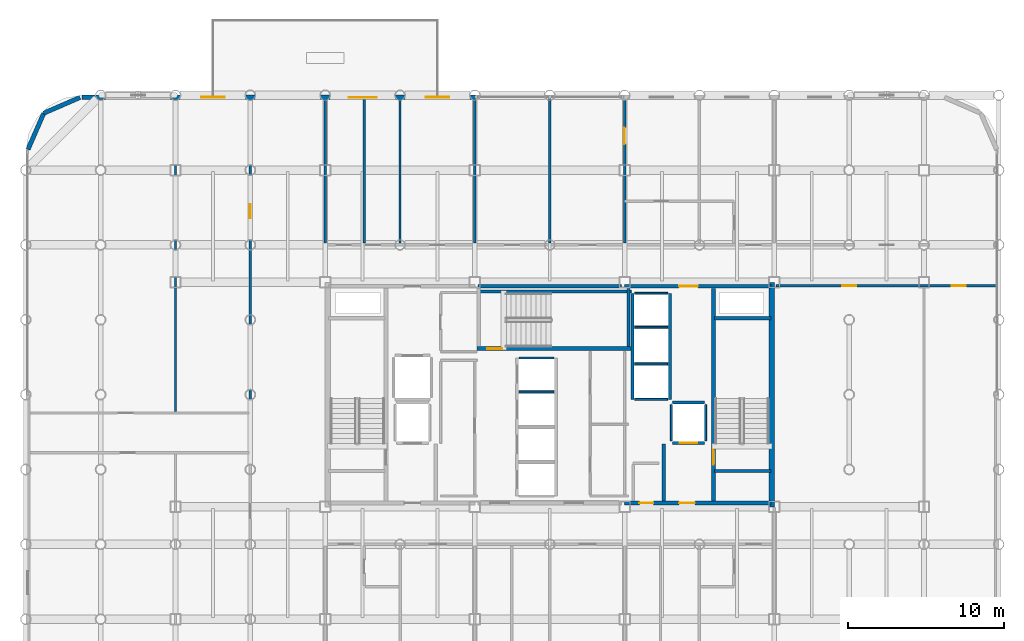
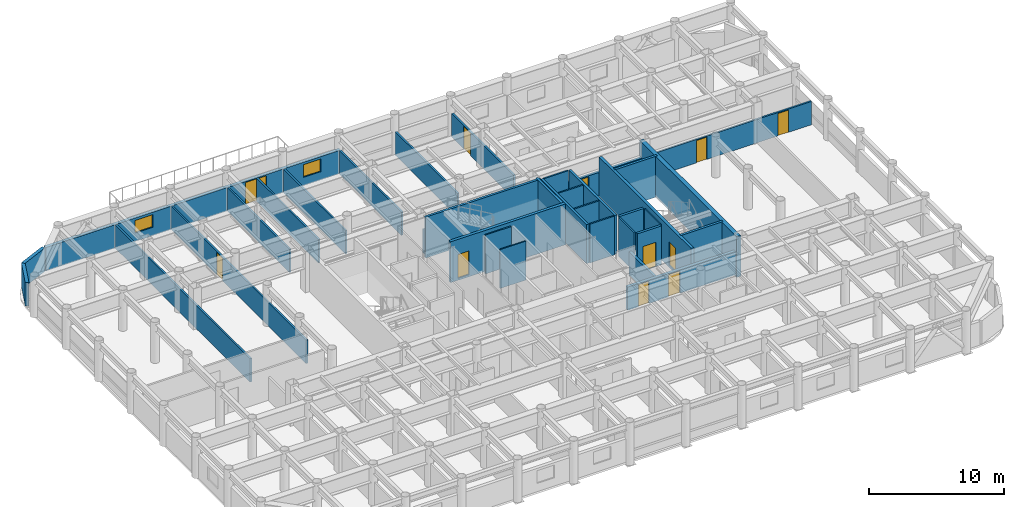
# One storey, part 19 of 22: 35 walls, 11 doors, 2 windows, 13 openings.
"""IFC4 building model written with IfcOpenShell, lengths in metres."""

from ifc_helpers import new_model, si_unit, direction, frame, frame_2d, origin, place, context, subcontext, project, spatial, rectangle, extrude, material, layer, layer_set, type_object, element, fill, save


model = new_model("IFC4")

# Units and contexts
model_context = context("Model", 3, precision=1e-05, world=origin(), true_north=direction((0.0, 1.0)))
body_context = subcontext(model_context, "Body", "Model", "MODEL_VIEW")
ifc_project = project(units=[si_unit("LENGTHUNIT", "METRE"), si_unit("AREAUNIT", "SQUARE_METRE"), si_unit("VOLUMEUNIT", "CUBIC_METRE"), si_unit("PLANEANGLEUNIT", "RADIAN"), si_unit("MASSUNIT", "GRAM", prefix="KILO")], contexts=[model_context])

# Site, building, storey
site_placement = place(None, origin())
site = spatial("IfcSite", under=ifc_project, at=site_placement, CompositionType="ELEMENT")
building_placement = place(site_placement, origin())
building = spatial("IfcBuilding", under=site, at=building_placement, Name="Kallvorn Hotel Tower", CompositionType="ELEMENT")
storey_placement = place(building_placement, frame((0.0, 0.0, 154.39990234375)))
storey = spatial("IfcBuildingStorey", under=building, at=storey_placement, Name="L38", CompositionType="ELEMENT", Elevation=154.39990234375)

# Walls
ifc_material_1 = material(Name="Concrete C50/60", Category="concrete")
ifc_layer_1 = layer(ifc_material_1, 0.35009765625)
ifc_layer_set_1 = layer_set([ifc_layer_1], Name="WL_CORE_350")
wall_type_1 = type_object("IfcWallType", Name="WL_CORE_350", PredefinedType="SHEAR", material=ifc_layer_set_1)
wall_1_placement = place(storey_placement, frame((14.239990234375, -7.199951171875, -0.179931640625), z_axis=(0.0, 0.0, 1.0), x_axis=(0.0, 1.0, 0.0)))
element("IfcWall", 1, at=wall_1_placement, inside=storey, type_object=wall_type_1, Name="L38 Core East Shear Wall", PredefinedType="SHEAR", context=body_context, shape_type="SweptSolid", body=[
    extrude(rectangle(XDim=14.39990234375, YDim=0.35009765625, at=frame_2d((7.199951171875, 0.0))), origin(), (0.0, 0.0, 1.0), 3.699951171875),
])
ifc_material_2 = material(Name="Fire-rated double-layer acoustic gypsum drywall EI 60")
ifc_layer_2 = layer(ifc_material_2, 0.159912109375)
ifc_layer_set_2 = layer_set([ifc_layer_2], Name="WL_DEMISE_160")
wall_type_2 = type_object("IfcWallType", Name="WL_DEMISE_160", PredefinedType="PARTITIONING", material=ifc_layer_set_2)
wall_2_placement = place(storey_placement, frame((0.0, 9.719970703125, 0.0), z_axis=(0.0, 0.0, 1.0), x_axis=(0.0, 1.0, 0.0)))
element("IfcWall", 2, at=wall_2_placement, inside=storey, type_object=wall_type_2, Name="L38 Suite 3805 Junior Living Salon Partition", PredefinedType="PARTITIONING", context=body_context, shape_type="SweptSolid", body=[
    extrude(rectangle(XDim=9.275146484375, YDim=0.159912109375, at=frame_2d((4.6376953125, 0.0))), origin(), (0.0, 0.0, 1.0), 2.1201171875),
])

# Wall, opening, door
wall_3_placement = place(storey_placement, frame((4.800048828125, 9.719970703125, 0.0), z_axis=(0.0, 0.0, 1.0), x_axis=(0.0, 1.0, 0.0)))
wall_3 = element("IfcWall", 3, at=wall_3_placement, inside=storey, type_object=wall_type_2, Name="L38 Suite 3805 Junior Living Salon Partition", PredefinedType="PARTITIONING", context=body_context, shape_type="SweptSolid", body=[
    extrude(rectangle(XDim=9.18994140625, YDim=0.159912109375, at=frame_2d((4.594970703125, 0.0))), origin(), (0.0, 0.0, 1.0), 2.1201171875),
])
opening_1_placement = place(wall_3_placement, frame((6.346923828125, 0.0, 0.0)))
opening_1 = element("IfcOpeningElement", 4, at=opening_1_placement, cuts=wall_3, Name="Opening GD2A", PredefinedType="OPENING", context=body_context, shape_type="SweptSolid", body=[
    extrude(rectangle(XDim=1.050048828125, YDim=2.02001953125, at=frame_2d((0.52490234375, 1.010009765625))), frame((0.0, 0.094970703125, 0.0), z_axis=(0.0, -1.0, 0.0), x_axis=(1.0, 0.0, 0.0)), (0.0, 0.0, 1.0), 0.18994140625),
])
ifc_material_3 = material(Name="Solid-core walnut veneer fire-rated timber door leaf", Category="wood")
door_type_1 = type_object("IfcDoorType", Name="DR_SUITE_1050x2020", OperationType="NOTDEFINED", PredefinedType="DOOR", material=ifc_material_3)
door_1_placement = place(opening_1_placement, origin())
door_1 = element("IfcDoor", 5, at=door_1_placement, inside=storey, type_object=door_type_1, Name="L38 Suite 3805 Junior Bedroom Door", OperationType="SINGLE_SWING_LEFT", OverallHeight=2.02001953125, OverallWidth=1.050048828125, PredefinedType="DOOR", context=body_context, shape_type="SweptSolid", body=[
    extrude(rectangle(XDim=1.050048828125, YDim=2.02001953125, at=frame_2d((0.52490234375, 1.010009765625))), frame((0.0, 0.02490234375, 0.0), z_axis=(0.0, -1.0, 0.0), x_axis=(1.0, 0.0, 0.0)), (0.0, 0.0, 1.0), 0.050048828125),
])
fill(opening_1, door_1)

# Walls
ifc_material_4 = material(Name="Precast basalt-clad insulated concrete wall C40/50", Category="masonry")
ifc_layer_3 = layer(ifc_material_4, 0.280029296875)
ifc_layer_set_3 = layer_set([ifc_layer_3], Name="WL_EXT_LOGGIA_280")
wall_type_3 = type_object("IfcWallType", Name="WL_EXT_LOGGIA_280", PredefinedType="SOLIDWALL", material=ifc_layer_set_3)
wall_4_placement = place(storey_placement, frame((-30.120849609375, 19.057861328125, 0.0), z_axis=(0.0, 0.0, 1.0), x_axis=(-0.917060872934, -0.398747232384, 0.0)))
element("IfcWall", 6, at=wall_4_placement, inside=storey, type_object=wall_type_3, Name="L38 Rounded Corner Exterior Wall NW1", PredefinedType="SOLIDWALL", context=body_context, shape_type="SweptSolid", body=[
    extrude(rectangle(XDim=2.5361328125, YDim=0.280029296875, at=frame_2d((1.26806640625, 0.0))), origin(), (0.0, 0.0, 1.0), 2.1201171875),
])
wall_5_placement = place(storey_placement, frame((-32.446533203125, 18.046630859375, 0.0), z_axis=(0.0, 0.0, 1.0), x_axis=(-0.398792985289, -0.917040977756, 0.0)))
element("IfcWall", 7, at=wall_5_placement, inside=storey, type_object=wall_type_3, Name="L38 Rounded Corner Exterior Wall NW2", PredefinedType="SOLIDWALL", context=body_context, shape_type="SweptSolid", body=[
    extrude(rectangle(XDim=2.536376953125, YDim=0.280029296875, at=frame_2d((1.26806640625, 0.0))), origin(), (0.0, 0.0, 1.0), 2.1201171875),
])

# Wall, openings, door, windows
wall_6_placement = place(storey_placement, frame((-30.0, 19.06005859375, 0.0), z_axis=(0.0, 0.0, 1.0), x_axis=(1.0, 0.0, 0.0)))
wall_6 = element("IfcWall", 8, at=wall_6_placement, inside=storey, type_object=wall_type_3, Name="L38 Exterior Envelope Wall EW-L38-NW", PredefinedType="SOLIDWALL", context=body_context, shape_type="SweptSolid", body=[
    extrude(rectangle(XDim=25.25, YDim=0.280029296875, at=frame_2d((12.625, 0.0))), origin(), (0.0, 0.0, 1.0), 2.1201171875),
])
opening_2_placement = place(wall_6_placement, frame((17.10009765625, 0.0, 0.0)))
opening_2 = element("IfcOpeningElement", 9, at=opening_2_placement, cuts=wall_6, Name="Opening TD2A", PredefinedType="OPENING", context=body_context, shape_type="SweptSolid", body=[
    extrude(rectangle(XDim=1.800048828125, YDim=2.02001953125, at=frame_2d((0.89990234375, 1.010009765625))), frame((0.0, 0.155029296875, 0.0), z_axis=(0.0, -1.0, 0.0), x_axis=(1.0, 0.0, 0.0)), (0.0, 0.0, 1.0), 0.31005859375),
])
opening_3_placement = place(wall_6_placement, frame((7.64990234375, 0.0, 0.75)))
opening_3 = element("IfcOpeningElement", 10, at=opening_3_placement, cuts=wall_6, Name="Opening W05A", PredefinedType="OPENING", context=body_context, shape_type="SweptSolid", body=[
    extrude(rectangle(XDim=1.5, YDim=1.14990234375, at=frame_2d((0.75, 0.574951171875))), frame((0.0, 0.155029296875, 0.0), z_axis=(0.0, -1.0, 0.0), x_axis=(1.0, 0.0, 0.0)), (0.0, 0.0, 1.0), 0.31005859375),
])
opening_4_placement = place(wall_6_placement, frame((22.050048828125, 0.0, 0.75)))
opening_4 = element("IfcOpeningElement", 11, at=opening_4_placement, cuts=wall_6, Name="Opening W05A", PredefinedType="OPENING", context=body_context, shape_type="SweptSolid", body=[
    extrude(rectangle(XDim=1.5, YDim=1.14990234375, at=frame_2d((0.75, 0.574951171875))), frame((0.0, 0.155029296875, 0.0), z_axis=(0.0, -1.0, 0.0), x_axis=(1.0, 0.0, 0.0)), (0.0, 0.0, 1.0), 0.31005859375),
])
ifc_material_5 = material(Name="Double-glazed low-e solar-control dark glass", Category="glass")
door_type_2 = type_object("IfcDoorType", Name="DR_TERR_TOW_1800x2020", OperationType="DOUBLE_DOOR_SINGLE_SWING", PredefinedType="DOOR", material=ifc_material_5)
door_2_placement = place(opening_2_placement, origin())
door_2 = element("IfcDoor", 12, at=door_2_placement, inside=storey, type_object=door_type_2, Name="L38 Step-Off Terrace Glazed Door 1", OperationType="DOUBLE_DOOR_SINGLE_SWING", OverallHeight=2.02001953125, OverallWidth=1.800048828125, PredefinedType="DOOR", context=body_context, shape_type="SweptSolid", body=[
    extrude(rectangle(XDim=1.800048828125, YDim=2.02001953125, at=frame_2d((0.89990234375, 1.010009765625))), frame((0.0, 0.02490234375, 0.0), z_axis=(0.0, -1.0, 0.0), x_axis=(1.0, 0.0, 0.0)), (0.0, 0.0, 1.0), 0.050048828125),
])
fill(opening_2, door_2)
ifc_material_6 = material(Name="Double-glazed low-e solar-control dark glass", Category="glass")
window_type = type_object("IfcWindowType", Name="WN_HTL_1500x1150", PartitioningType="SINGLE_PANEL", PredefinedType="WINDOW", material=ifc_material_6)
window_1_placement = place(opening_3_placement, origin())
window_1 = element("IfcWindow", 13, at=window_1_placement, inside=storey, type_object=window_type, Name="L38 Guestroom Exterior Window 03", OverallHeight=1.14990234375, OverallWidth=1.5, PartitioningType="SINGLE_PANEL", PredefinedType="WINDOW", context=body_context, shape_type="SweptSolid", body=[
    extrude(rectangle(XDim=1.5, YDim=1.14990234375, at=frame_2d((0.75, 0.574951171875))), frame((0.0, 0.030029296875, 0.0), z_axis=(0.0, -1.0, 0.0), x_axis=(1.0, 0.0, 0.0)), (0.0, 0.0, 1.0), 0.06005859375),
])
fill(opening_3, window_1)
window_2_placement = place(opening_4_placement, origin())
window_2 = element("IfcWindow", 14, at=window_2_placement, inside=storey, type_object=window_type, Name="L38 Guestroom Exterior Window 10", OverallHeight=1.14990234375, OverallWidth=1.5, PartitioningType="SINGLE_PANEL", PredefinedType="WINDOW", context=body_context, shape_type="SweptSolid", body=[
    extrude(rectangle(XDim=1.5, YDim=1.14990234375, at=frame_2d((0.75, 0.574951171875))), frame((0.0, 0.030029296875, 0.0), z_axis=(0.0, -1.0, 0.0), x_axis=(1.0, 0.0, 0.0)), (0.0, 0.0, 1.0), 0.06005859375),
])
fill(opening_4, window_2)

# Walls
ifc_material_7 = material(Name="Concrete C40/50", Category="concrete")
ifc_layer_4 = layer(ifc_material_7, 0.219970703125)
ifc_layer_set_4 = layer_set([ifc_layer_4], Name="WL_FFL_220")
wall_type_4 = type_object("IfcWallType", Name="WL_FFL_220", PredefinedType="SOLIDWALL", material=ifc_layer_set_4)
wall_7_placement = place(storey_placement, frame((7.300048828125, -6.820068359375, 0.0), z_axis=(0.0, 0.0, 1.0), x_axis=(0.0, 1.0, 0.0)))
element("IfcWall", 15, at=wall_7_placement, inside=storey, type_object=wall_type_4, Name="L38 Firefighting Lobby East Divider Wall", PredefinedType="SOLIDWALL", context=body_context, shape_type="SweptSolid", body=[
    extrude(rectangle(XDim=3.670166015625, YDim=0.219970703125, at=frame_2d((1.8349609375, 0.0))), origin(), (0.0, 0.0, 1.0), 2.1201171875),
])
ifc_material_8 = material(Name="Concrete C40/50", Category="concrete")
ifc_layer_5 = layer(ifc_material_8, 0.199951171875)
ifc_layer_set_5 = layer_set([ifc_layer_5], Name="WL_HOIST_200")
wall_type_5 = type_object("IfcWallType", Name="WL_HOIST_200", PredefinedType="SOLIDWALL", material=ifc_layer_set_5)
for number, where, z_axis, x_axis, name in (
    (16, (10.550048828125, -4.89990234375, -0.179931640625), (0.0, 0.0, 1.0), (1.0, 0.0, 0.0), "L38 Stair ST2 South Wall"),
    (17, (10.550048828125, 4.89990234375, -0.179931640625), (0.0, 0.0, 1.0), (1.0, 0.0, 0.0), "L38 Stair ST2 North Wall"),
):
    element("IfcWall", number, at=place(storey_placement, frame(where, z_axis=z_axis, x_axis=x_axis)), inside=storey, type_object=wall_type_5, Name=name, PredefinedType="SOLIDWALL", context=body_context, shape_type="SweptSolid", body=[
        extrude(rectangle(XDim=3.64990234375, YDim=0.199951171875, at=frame_2d((1.824951171875, 0.0))), origin(), (0.0, 0.0, 1.0), 3.699951171875),
    ])
wall_8_placement = place(storey_placement, frame((-4.64990234375, 6.610107421875, -0.179931640625), z_axis=(0.0, 0.0, 1.0), x_axis=(1.0, 0.0, 0.0)))
element("IfcWall", 18, at=wall_8_placement, inside=storey, type_object=wall_type_5, Name="L38 Stair ST3 Shaft North Wall", PredefinedType="SOLIDWALL", context=body_context, shape_type="SweptSolid", body=[
    extrude(rectangle(XDim=9.89990234375, YDim=0.199951171875, at=frame_2d((4.949951171875, 0.0))), origin(), (0.0, 0.0, 1.0), 3.699951171875),
])
wall_9_placement = place(storey_placement, frame((5.06005859375, 3.080078125, -0.179931640625), z_axis=(0.0, 0.0, 1.0), x_axis=(0.0, 1.0, 0.0)))
element("IfcWall", 19, at=wall_9_placement, inside=storey, type_object=wall_type_5, Name="L38 Stair ST3 East Wall", PredefinedType="SOLIDWALL", context=body_context, shape_type="SweptSolid", body=[
    extrude(rectangle(XDim=3.739990234375, YDim=0.199951171875, at=frame_2d((1.8701171875, 0.0))), origin(), (0.0, 0.0, 1.0), 3.699951171875),
])
for number, where, z_axis, x_axis, name in (
    (20, (7.699951171875, -0.300048828125, 0.0), (0.0, 0.0, 1.0), (0.0, 1.0, 0.0), "L38 Lift Bank OBS Landing Wall"),
    (21, (5.300048828125, -0.300048828125, 0.0), (0.0, 0.0, 1.0), (0.0, 1.0, 0.0), "L38 Lift Bank OBS Rear Shaft Wall"),
):
    element("IfcWall", number, at=place(storey_placement, frame(where, z_axis=z_axis, x_axis=x_axis)), inside=storey, type_object=wall_type_5, Name=name, PredefinedType="SOLIDWALL", context=body_context, shape_type="SweptSolid", body=[
        extrude(rectangle(XDim=6.800048828125, YDim=0.199951171875, at=frame_2d((3.39990234375, 0.0))), origin(), (0.0, 0.0, 1.0), 3.52001953125),
    ])

# Wall, opening, door
wall_10_placement = place(storey_placement, frame((7.8798828125, -3.10009765625, 0.0), z_axis=(0.0, 0.0, 1.0), x_axis=(1.0, 0.0, 0.0)))
wall_10 = element("IfcWall", 22, at=wall_10_placement, inside=storey, type_object=wall_type_5, Name="L38 FL-2 Landing Wall", PredefinedType="SOLIDWALL", context=body_context, shape_type="SweptSolid", body=[
    extrude(rectangle(XDim=2.0400390625, YDim=0.199951171875, at=frame_2d((1.02001953125, 0.0))), origin(), (0.0, 0.0, 1.0), 3.52001953125),
])
opening_5_placement = place(wall_10_placement, frame((0.469970703125, 0.0, 0.0)))
opening_5 = element("IfcOpeningElement", 23, at=opening_5_placement, cuts=wall_10, Name="Opening LD-FL-2", PredefinedType="OPENING", context=body_context, shape_type="SweptSolid", body=[
    extrude(rectangle(XDim=1.10009765625, YDim=2.199951171875, at=frame_2d((0.550048828125, 1.10009765625))), frame((0.0, 0.114990234375, 0.0), z_axis=(0.0, -1.0, 0.0), x_axis=(1.0, 0.0, 0.0)), (0.0, 0.0, 1.0), 0.22998046875),
])
ifc_material_9 = material(Name="Brushed stainless-steel automatic sliding lift landing door", Category="steel")
door_type_3 = type_object("IfcDoorType", Name="LD_PASS_1100x2200", OperationType="SLIDING_TO_LEFT", PredefinedType="DOOR", material=ifc_material_9)
door_3_placement = place(opening_5_placement, origin())
door_3 = element("IfcDoor", 24, at=door_3_placement, inside=storey, type_object=door_type_3, Name="L38 Lift Landing Sliding Door LD-FL-2", OperationType="SLIDING_TO_LEFT", OverallHeight=2.199951171875, OverallWidth=1.10009765625, PredefinedType="DOOR", context=body_context, shape_type="SweptSolid", body=[
    extrude(rectangle(XDim=1.10009765625, YDim=2.199951171875, at=frame_2d((0.550048828125, 1.10009765625))), frame((0.0, 0.02490234375, 0.0), z_axis=(0.0, -1.0, 0.0), x_axis=(1.0, 0.0, 0.0)), (0.0, 0.0, 1.0), 0.050048828125),
])
fill(opening_5, door_3)

# Walls
wall_11_placement = place(storey_placement, frame((7.8798828125, -0.5, 0.0), z_axis=(0.0, 0.0, 1.0), x_axis=(1.0, 0.0, 0.0)))
element("IfcWall", 25, at=wall_11_placement, inside=storey, type_object=wall_type_5, Name="L38 FL-2 Rear Shaft Wall", PredefinedType="SOLIDWALL", context=body_context, shape_type="SweptSolid", body=[
    extrude(rectangle(XDim=2.0400390625, YDim=0.199951171875, at=frame_2d((1.02001953125, 0.0))), origin(), (0.0, 0.0, 1.0), 3.52001953125),
])
ifc_material_10 = material(Name="Fire-rated double-layer acoustic gypsum drywall EI 60")
ifc_layer_6 = layer(ifc_material_10, 0.1201171875)
ifc_layer_set_6 = layer_set([ifc_layer_6], Name="WL_INT_120")
wall_type_6 = type_object("IfcWallType", Name="WL_INT_120", PredefinedType="PARTITIONING", material=ifc_layer_set_6)
for number, where, z_axis, x_axis, name in (
    (26, (-1.9599609375, 0.175048828125, 0.0), (0.0, 0.0, 1.0), (1.0, 0.0, 0.0), "L38 PL-07 Hoistway Divider"),
    (27, (-1.9599609375, 2.35009765625, 0.0), (0.0, 0.0, 1.0), (1.0, 0.0, 0.0), "L38 PL-08 Hoistway Divider"),
):
    element("IfcWall", number, at=place(storey_placement, frame(where, z_axis=z_axis, x_axis=x_axis)), inside=storey, type_object=wall_type_6, Name=name, PredefinedType="PARTITIONING", context=body_context, shape_type="SweptSolid", body=[
        extrude(rectangle(XDim=2.219970703125, YDim=0.1201171875, at=frame_2d((1.10986328125, 0.0))), origin(), (0.0, 0.0, 1.0), 3.52001953125),
    ])
for number, where, z_axis, x_axis, name in (
    (28, (5.43994140625, -0.300048828125, 0.0), (0.0, 0.0, 1.0), (1.0, 0.0, 0.0), "L38 Lift Bank OBS South Closure Wall"),
    (29, (5.43994140625, 1.97509765625, 0.0), (0.0, 0.0, 1.0), (1.0, 0.0, 0.0), "L38 OB-01 Hoistway Divider"),
    (30, (5.43994140625, 4.324951171875, 0.0), (0.0, 0.0, 1.0), (1.0, 0.0, 0.0), "L38 OB-02 Hoistway Divider"),
    (31, (5.43994140625, 6.5, 0.0), (0.0, 0.0, 1.0), (1.0, 0.0, 0.0), "L38 OB-03 Hoistway Divider"),
):
    element("IfcWall", number, at=place(storey_placement, frame(where, z_axis=z_axis, x_axis=x_axis)), inside=storey, type_object=wall_type_6, Name=name, PredefinedType="PARTITIONING", context=body_context, shape_type="SweptSolid", body=[
        extrude(rectangle(XDim=2.1201171875, YDim=0.1201171875, at=frame_2d((1.06005859375, 0.0))), origin(), (0.0, 0.0, 1.0), 3.52001953125),
    ])
for number, where, z_axis, x_axis, name in (
    (32, (7.800048828125, -2.9599609375, 0.0), (0.0, 0.0, 1.0), (0.0, 1.0, 0.0), "L38 FL-2 West Shaft Wall"),
    (33, (10.0, -2.9599609375, 0.0), (0.0, 0.0, 1.0), (0.0, 1.0, 0.0), "L38 FL-2 East Shaft Wall"),
):
    element("IfcWall", number, at=place(storey_placement, frame(where, z_axis=z_axis, x_axis=x_axis)), inside=storey, type_object=wall_type_6, Name=name, PredefinedType="PARTITIONING", context=body_context, shape_type="SweptSolid", body=[
        extrude(rectangle(XDim=2.320068359375, YDim=0.1201171875, at=frame_2d((1.16015625, 0.0))), origin(), (0.0, 0.0, 1.0), 3.52001953125),
    ])

# Wall, openings, doors
ifc_material_11 = material(Name="Fire-rated double-layer acoustic gypsum drywall EI 60")
ifc_layer_7 = layer(ifc_material_11, 0.14990234375)
ifc_layer_set_7 = layer_set([ifc_layer_7], Name="WL_PART_150")
wall_type_7 = type_object("IfcWallType", Name="WL_PART_150", PredefinedType="PARTITIONING", material=ifc_layer_set_7)
wall_12_placement = place(storey_placement, frame((14.52001953125, 6.97998046875, 0.0), z_axis=(0.0, 0.0, 1.0), x_axis=(1.0, 0.0, 0.0)))
wall_12 = element("IfcWall", 34, at=wall_12_placement, inside=storey, type_object=wall_type_7, Name="L38 L38 South-East Cocktail Bar Partition", PredefinedType="PARTITIONING", context=body_context, shape_type="SweptSolid", body=[
    extrude(rectangle(XDim=14.10986328125, YDim=0.14990234375, at=frame_2d((7.054931640625, 0.0))), origin(), (0.0, 0.0, 1.0), 2.1201171875),
])
opening_6_placement = place(wall_12_placement, frame((4.22998046875, 0.0, 0.0)))
opening_6 = element("IfcOpeningElement", 35, at=opening_6_placement, cuts=wall_12, Name="Opening SVD1A", PredefinedType="OPENING", context=body_context, shape_type="SweptSolid", body=[
    extrude(rectangle(XDim=0.89990234375, YDim=2.02001953125, at=frame_2d((0.449951171875, 1.010009765625))), frame((0.0, 0.08984375, 0.0), z_axis=(0.0, -1.0, 0.0), x_axis=(1.0, 0.0, 0.0)), (0.0, 0.0, 1.0), 0.179931640625),
])
opening_7_placement = place(wall_12_placement, frame((11.2451171875, 0.0, 0.0)))
opening_7 = element("IfcOpeningElement", 36, at=opening_7_placement, cuts=wall_12, Name="Opening SVD1A", PredefinedType="OPENING", context=body_context, shape_type="SweptSolid", body=[
    extrude(rectangle(XDim=0.89990234375, YDim=2.02001953125, at=frame_2d((0.449951171875, 1.010009765625))), frame((0.0, 0.08984375, 0.0), z_axis=(0.0, -1.0, 0.0), x_axis=(1.0, 0.0, 0.0)), (0.0, 0.0, 1.0), 0.179931640625),
])
ifc_material_12 = material(Name="Galvanised painted steel fire-rated door assembly", Category="steel")
door_type_4 = type_object("IfcDoorType", Name="DR_SERV_900x2020", OperationType="NOTDEFINED", PredefinedType="DOOR", material=ifc_material_12)
door_4_placement = place(opening_6_placement, origin())
door_4 = element("IfcDoor", 37, at=door_4_placement, inside=storey, type_object=door_type_4, Name="L38 L38 South-East Cocktail Bar Door", OperationType="SINGLE_SWING_RIGHT", OverallHeight=2.02001953125, OverallWidth=0.89990234375, PredefinedType="DOOR", context=body_context, shape_type="SweptSolid", body=[
    extrude(rectangle(XDim=0.89990234375, YDim=2.02001953125, at=frame_2d((0.449951171875, 1.010009765625))), frame((0.0, 0.02490234375, 0.0), z_axis=(0.0, -1.0, 0.0), x_axis=(1.0, 0.0, 0.0)), (0.0, 0.0, 1.0), 0.050048828125),
])
fill(opening_6, door_4)
door_5_placement = place(opening_7_placement, origin())
door_5 = element("IfcDoor", 38, at=door_5_placement, inside=storey, type_object=door_type_4, Name="L38 L38 Far-East Design Boutique Door", OperationType="SINGLE_SWING_LEFT", OverallHeight=2.02001953125, OverallWidth=0.89990234375, PredefinedType="DOOR", context=body_context, shape_type="SweptSolid", body=[
    extrude(rectangle(XDim=0.89990234375, YDim=2.02001953125, at=frame_2d((0.449951171875, 1.010009765625))), frame((0.0, 0.02490234375, 0.0), z_axis=(0.0, -1.0, 0.0), x_axis=(1.0, 0.0, 0.0)), (0.0, 0.0, 1.0), 0.050048828125),
])
fill(opening_7, door_5)

# Wall
wall_13_placement = place(storey_placement, frame((-24.0, -1.094970703125, 0.0), z_axis=(0.0, 0.0, 1.0), x_axis=(0.0, 1.0, 0.0)))
element("IfcWall", 39, at=wall_13_placement, inside=storey, type_object=wall_type_7, Name="L38 L38 Inner North-West Reading Salon Partition", PredefinedType="PARTITIONING", context=body_context, shape_type="SweptSolid", body=[
    extrude(rectangle(XDim=20.0048828125, YDim=0.14990234375, at=frame_2d((10.00244140625, 0.0))), origin(), (0.0, 0.0, 1.0), 2.1201171875),
])

# Wall, opening, door
wall_14_placement = place(storey_placement, frame((-19.199951171875, -1.094970703125, 0.0), z_axis=(0.0, 0.0, 1.0), x_axis=(0.0, 1.0, 0.0)))
wall_14 = element("IfcWall", 40, at=wall_14_placement, inside=storey, type_object=wall_type_7, Name="L38 L38 Inner North-West Reading Salon Partition", PredefinedType="PARTITIONING", context=body_context, shape_type="SweptSolid", body=[
    extrude(rectangle(XDim=20.0048828125, YDim=0.14990234375, at=frame_2d((10.00244140625, 0.0))), origin(), (0.0, 0.0, 1.0), 2.1201171875),
])
opening_8_placement = place(wall_14_placement, frame((12.39697265625, 0.0, 0.0)))
opening_8 = element("IfcOpeningElement", 41, at=opening_8_placement, cuts=wall_14, Name="Opening SVD1A", PredefinedType="OPENING", context=body_context, shape_type="SweptSolid", body=[
    extrude(rectangle(XDim=0.89990234375, YDim=2.02001953125, at=frame_2d((0.449951171875, 1.010009765625))), frame((0.0, 0.08984375, 0.0), z_axis=(0.0, -1.0, 0.0), x_axis=(1.0, 0.0, 0.0)), (0.0, 0.0, 1.0), 0.179931640625),
])
door_6_placement = place(opening_8_placement, origin())
door_6 = element("IfcDoor", 42, at=door_6_placement, inside=storey, type_object=door_type_4, Name="L38 L38 Inner North-West Reading Salon Door", OperationType="SINGLE_SWING_LEFT", OverallHeight=2.02001953125, OverallWidth=0.89990234375, PredefinedType="DOOR", context=body_context, shape_type="SweptSolid", body=[
    extrude(rectangle(XDim=0.89990234375, YDim=2.02001953125, at=frame_2d((0.449951171875, 1.010009765625))), frame((0.0, 0.02490234375, 0.0), z_axis=(0.0, -1.0, 0.0), x_axis=(1.0, 0.0, 0.0)), (0.0, 0.0, 1.0), 0.050048828125),
])
fill(opening_8, door_6)

# Walls
for number, where, z_axis, x_axis, name in (
    (43, (-14.39990234375, 9.719970703125, 0.0), (0.0, 0.0, 1.0), (0.0, 1.0, 0.0), "L38 Housekeeping and Linen Room Partition"),
    (44, (-11.905029296875, 9.719970703125, 0.0), (0.0, 0.0, 1.0), (0.0, 1.0, 0.0), "L38 Guest Tea and Refreshment Bar Partition"),
    (45, (-9.60009765625, 9.719970703125, 0.0), (0.0, 0.0, 1.0), (0.0, 1.0, 0.0), "L38 Guest Tea and Refreshment Bar Partition"),
    (46, (-4.800048828125, 9.719970703125, 0.0), (0.0, 0.0, 1.0), (0.0, 1.0, 0.0), "L38 L38 Executive Co-Working Open-Plan Office 2-1 Partition"),
):
    element("IfcWall", number, at=place(storey_placement, frame(where, z_axis=z_axis, x_axis=x_axis)), inside=storey, type_object=wall_type_7, Name=name, PredefinedType="PARTITIONING", context=body_context, shape_type="SweptSolid", body=[
        extrude(rectangle(XDim=9.18994140625, YDim=0.14990234375, at=frame_2d((4.594970703125, 0.0))), origin(), (0.0, 0.0, 1.0), 2.1201171875),
    ])

# Wall, openings, doors
ifc_material_13 = material(Name="Concrete C40/50", Category="concrete")
ifc_layer_8 = layer(ifc_material_13, 0.25)
ifc_layer_set_8 = layer_set([ifc_layer_8], Name="WL_SHAFT_250")
wall_type_8 = type_object("IfcWallType", Name="WL_SHAFT_250", PredefinedType="SOLIDWALL", material=ifc_layer_set_8)
wall_15_placement = place(storey_placement, frame((4.800048828125, -6.949951171875, 0.0), z_axis=(0.0, 0.0, 1.0), x_axis=(1.0, 0.0, 0.0)))
wall_15 = element("IfcWall", 47, at=wall_15_placement, inside=storey, type_object=wall_type_8, Name="L38 Core South-East Wall", PredefinedType="SOLIDWALL", context=body_context, shape_type="SweptSolid", body=[
    extrude(rectangle(XDim=9.39990234375, YDim=0.25, at=frame_2d((4.699951171875, 0.0))), origin(), (0.0, 0.0, 1.0), 2.1201171875),
])
opening_9_placement = place(wall_15_placement, frame((3.5, 0.0, 0.0)))
opening_9 = element("IfcOpeningElement", 48, at=opening_9_placement, cuts=wall_15, Name="Opening FD1A", PredefinedType="OPENING", context=body_context, shape_type="SweptSolid", body=[
    extrude(rectangle(XDim=1.0, YDim=2.02001953125, at=frame_2d((0.5, 1.010009765625))), frame((0.0, 0.139892578125, 0.0), z_axis=(0.0, -1.0, 0.0), x_axis=(1.0, 0.0, 0.0)), (0.0, 0.0, 1.0), 0.280029296875),
])
opening_10_placement = place(wall_15_placement, frame((0.949951171875, 0.0, 0.0)))
opening_10 = element("IfcOpeningElement", 49, at=opening_10_placement, cuts=wall_15, Name="Opening SVD1A", PredefinedType="OPENING", context=body_context, shape_type="SweptSolid", body=[
    extrude(rectangle(XDim=0.89990234375, YDim=2.02001953125, at=frame_2d((0.449951171875, 1.010009765625))), frame((0.0, 0.139892578125, 0.0), z_axis=(0.0, -1.0, 0.0), x_axis=(1.0, 0.0, 0.0)), (0.0, 0.0, 1.0), 0.280029296875),
])
ifc_material_14 = material(Name="Galvanised painted steel fire-rated door assembly", Category="steel")
door_type_5 = type_object("IfcDoorType", Name="DR_FFL_1000x2020", OperationType="NOTDEFINED", PredefinedType="DOOR", material=ifc_material_14)
door_7_placement = place(opening_9_placement, origin())
door_7 = element("IfcDoor", 50, at=door_7_placement, inside=storey, type_object=door_type_5, Name="L38 Firefighting Lobby East Door", OperationType="SINGLE_SWING_LEFT", OverallHeight=2.02001953125, OverallWidth=1.0, PredefinedType="DOOR", context=body_context, shape_type="SweptSolid", body=[
    extrude(rectangle(XDim=1.0, YDim=2.02001953125, at=frame_2d((0.5, 1.010009765625))), frame((0.0, 0.02490234375, 0.0), z_axis=(0.0, -1.0, 0.0), x_axis=(1.0, 0.0, 0.0)), (0.0, 0.0, 1.0), 0.050048828125),
])
fill(opening_9, door_7)
door_8_placement = place(opening_10_placement, origin())
door_8 = element("IfcDoor", 51, at=door_8_placement, inside=storey, type_object=door_type_4, Name="L38 Core Staff Restroom WC Door", OperationType="SINGLE_SWING_RIGHT", OverallHeight=2.02001953125, OverallWidth=0.89990234375, PredefinedType="DOOR", context=body_context, shape_type="SweptSolid", body=[
    extrude(rectangle(XDim=0.89990234375, YDim=2.02001953125, at=frame_2d((0.449951171875, 1.010009765625))), frame((0.0, 0.02490234375, 0.0), z_axis=(0.0, -1.0, 0.0), x_axis=(1.0, 0.0, 0.0)), (0.0, 0.0, 1.0), 0.050048828125),
])
fill(opening_10, door_8)

# Wall
wall_16_placement = place(storey_placement, frame((-4.60009765625, 6.949951171875, 0.0), z_axis=(0.0, 0.0, 1.0), x_axis=(1.0, 0.0, 0.0)))
element("IfcWall", 52, at=wall_16_placement, inside=storey, type_object=wall_type_8, Name="L38 Core North-Central Wall", PredefinedType="SOLIDWALL", context=body_context, shape_type="SweptSolid", body=[
    extrude(rectangle(XDim=9.2001953125, YDim=0.25, at=frame_2d((4.60009765625, 0.0))), origin(), (0.0, 0.0, 1.0), 2.1201171875),
])

# Wall, opening, door
wall_17_placement = place(storey_placement, frame((4.800048828125, 6.949951171875, 0.0), z_axis=(0.0, 0.0, 1.0), x_axis=(1.0, 0.0, 0.0)))
wall_17 = element("IfcWall", 53, at=wall_17_placement, inside=storey, type_object=wall_type_8, Name="L38 Core North-East Wall", PredefinedType="SOLIDWALL", context=body_context, shape_type="SweptSolid", body=[
    extrude(rectangle(XDim=9.39990234375, YDim=0.25, at=frame_2d((4.699951171875, 0.0))), origin(), (0.0, 0.0, 1.0), 2.1201171875),
])
opening_11_placement = place(wall_17_placement, frame((3.5, 0.0, 0.0)))
opening_11 = element("IfcOpeningElement", 54, at=opening_11_placement, cuts=wall_17, Name="Opening FD2A", PredefinedType="OPENING", context=body_context, shape_type="SweptSolid", body=[
    extrude(rectangle(XDim=1.199951171875, YDim=2.02001953125, at=frame_2d((0.60009765625, 1.010009765625))), frame((0.0, 0.139892578125, 0.0), z_axis=(0.0, -1.0, 0.0), x_axis=(1.0, 0.0, 0.0)), (0.0, 0.0, 1.0), 0.280029296875),
])
ifc_material_15 = material(Name="Galvanised painted steel fire-rated door assembly", Category="steel")
door_type_6 = type_object("IfcDoorType", Name="DR_LOBBY_1200x2020", OperationType="DOUBLE_DOOR_SINGLE_SWING", PredefinedType="DOOR", material=ifc_material_15)
door_9_placement = place(opening_11_placement, origin())
door_9 = element("IfcDoor", 55, at=door_9_placement, inside=storey, type_object=door_type_6, Name="L38 Observatory Shuttle Lobby Door", OperationType="DOUBLE_DOOR_SINGLE_SWING", OverallHeight=2.02001953125, OverallWidth=1.199951171875, PredefinedType="DOOR", context=body_context, shape_type="SweptSolid", body=[
    extrude(rectangle(XDim=1.199951171875, YDim=2.02001953125, at=frame_2d((0.60009765625, 1.010009765625))), frame((0.0, 0.02490234375, 0.0), z_axis=(0.0, -1.0, 0.0), x_axis=(1.0, 0.0, 0.0)), (0.0, 0.0, 1.0), 0.050048828125),
])
fill(opening_11, door_9)

wall_18_placement = place(storey_placement, frame((10.5, -6.820068359375, -0.179931640625), z_axis=(0.0, 0.0, 1.0), x_axis=(0.0, 1.0, 0.0)))
wall_18 = element("IfcWall", 56, at=wall_18_placement, inside=storey, type_object=wall_type_8, Name="L38 Stair ST2 Shaft Wall", PredefinedType="SOLIDWALL", context=body_context, shape_type="SweptSolid", body=[
    extrude(rectangle(XDim=13.64013671875, YDim=0.25, at=frame_2d((6.820068359375, 0.0))), origin(), (0.0, 0.0, 1.0), 3.699951171875),
])
opening_12_placement = place(wall_18_placement, frame((2.320068359375, 0.0, 0.179931640625)))
opening_12 = element("IfcOpeningElement", 57, at=opening_12_placement, cuts=wall_18, Name="Opening SD1", PredefinedType="OPENING", context=body_context, shape_type="SweptSolid", body=[
    extrude(rectangle(XDim=0.949951171875, YDim=2.14990234375, at=frame_2d((0.47509765625, 1.074951171875))), frame((0.0, 0.139892578125, 0.0), z_axis=(0.0, -1.0, 0.0), x_axis=(1.0, 0.0, 0.0)), (0.0, 0.0, 1.0), 0.280029296875),
])
ifc_material_16 = material(Name="Galvanised painted steel fire-rated door assembly", Category="steel")
door_type_7 = type_object("IfcDoorType", Name="DR_STAIR_950x2150", OperationType="NOTDEFINED", PredefinedType="DOOR", material=ifc_material_16)
door_10_placement = place(opening_12_placement, origin())
door_10 = element("IfcDoor", 58, at=door_10_placement, inside=storey, type_object=door_type_7, Name="L38 Exit Stair ST2 Fire Door", OperationType="SINGLE_SWING_LEFT", OverallHeight=2.14990234375, OverallWidth=0.949951171875, PredefinedType="DOOR", context=body_context, shape_type="SweptSolid", body=[
    extrude(rectangle(XDim=0.949951171875, YDim=2.14990234375, at=frame_2d((0.47509765625, 1.074951171875))), frame((0.0, 0.02490234375, 0.0), z_axis=(0.0, -1.0, 0.0), x_axis=(1.0, 0.0, 0.0)), (0.0, 0.0, 1.0), 0.050048828125),
])
fill(opening_12, door_10)

wall_19_placement = place(storey_placement, frame((-4.64990234375, 2.949951171875, -0.179931640625), z_axis=(0.0, 0.0, 1.0), x_axis=(1.0, 0.0, 0.0)))
wall_19 = element("IfcWall", 59, at=wall_19_placement, inside=storey, type_object=wall_type_8, Name="L38 Stair ST3 Shaft South Wall", PredefinedType="SOLIDWALL", context=body_context, shape_type="SweptSolid", body=[
    extrude(rectangle(XDim=9.89990234375, YDim=0.25, at=frame_2d((4.949951171875, 0.0))), origin(), (0.0, 0.0, 1.0), 3.699951171875),
])
opening_13_placement = place(wall_19_placement, frame((0.64990234375, 0.0, 0.179931640625)))
opening_13 = element("IfcOpeningElement", 60, at=opening_13_placement, cuts=wall_19, Name="Opening SD1", PredefinedType="OPENING", context=body_context, shape_type="SweptSolid", body=[
    extrude(rectangle(XDim=0.949951171875, YDim=2.14990234375, at=frame_2d((0.47509765625, 1.074951171875))), frame((0.0, 0.139892578125, 0.0), z_axis=(0.0, -1.0, 0.0), x_axis=(1.0, 0.0, 0.0)), (0.0, 0.0, 1.0), 0.280029296875),
])
door_11_placement = place(opening_13_placement, origin())
door_11 = element("IfcDoor", 61, at=door_11_placement, inside=storey, type_object=door_type_7, Name="L38 Exit Stair ST3 Fire Door", OperationType="SINGLE_SWING_RIGHT", OverallHeight=2.14990234375, OverallWidth=0.949951171875, PredefinedType="DOOR", context=body_context, shape_type="SweptSolid", body=[
    extrude(rectangle(XDim=0.949951171875, YDim=2.14990234375, at=frame_2d((0.47509765625, 1.074951171875))), frame((0.0, 0.02490234375, 0.0), z_axis=(0.0, -1.0, 0.0), x_axis=(1.0, 0.0, 0.0)), (0.0, 0.0, 1.0), 0.050048828125),
])
fill(opening_13, door_11)

save(model, "model.ifc")
